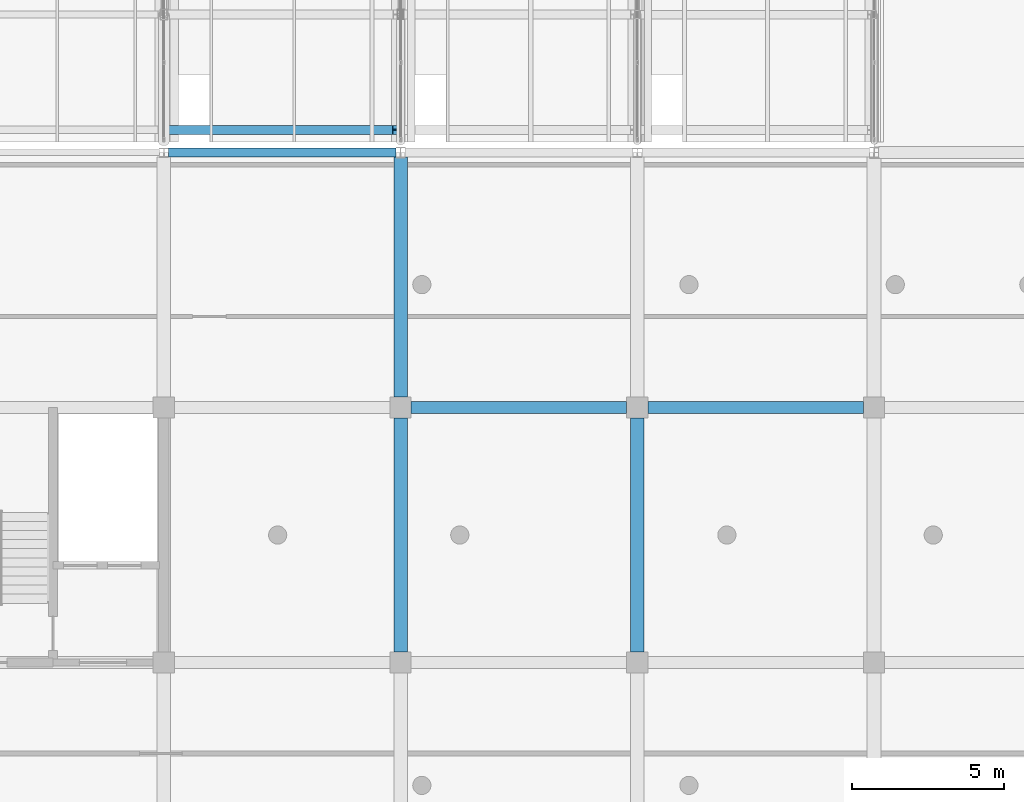
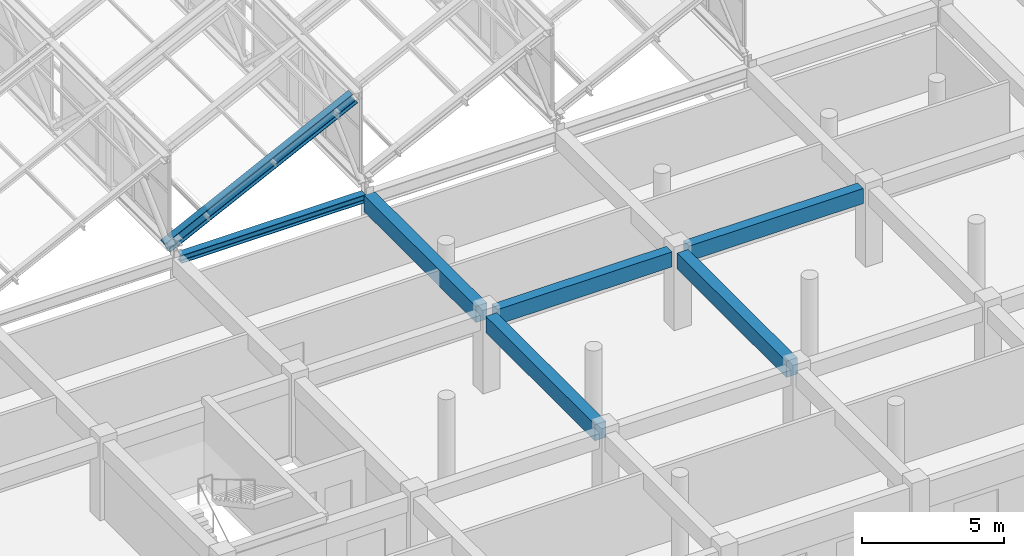
# One storey, part 13 of 101: 6 beams, 1 member.
"""IFC4 building model written with IfcOpenShell, lengths in metres."""

from ifc_helpers import new_model, si_unit, direction, frame, origin, origin_2d, place, context, subcontext, project, spatial, rectangle, i_section, extrude, material, material_profile, profile_set, type_object, element, save


model = new_model("IFC4")

# Units and contexts
model_context = context("Model", 3, precision=1e-05, world=origin(), true_north=direction((0.0, 1.0)))
body_context = subcontext(model_context, "Body", "Model", "MODEL_VIEW")
ifc_project = project(units=[si_unit("LENGTHUNIT", "METRE"), si_unit("AREAUNIT", "SQUARE_METRE"), si_unit("VOLUMEUNIT", "CUBIC_METRE"), si_unit("PLANEANGLEUNIT", "RADIAN"), si_unit("MASSUNIT", "GRAM", prefix="KILO")], contexts=[model_context])

# Site, building, storey
site_placement = place(None, origin())
site = spatial("IfcSite", under=ifc_project, at=site_placement, CompositionType="ELEMENT")
building_placement = place(site_placement, origin())
building = spatial("IfcBuilding", under=site, at=building_placement, Name="Zizhar Promenade General Hospital", CompositionType="ELEMENT")
storey_placement = place(building_placement, frame((0.0, 0.0, 14.39990234375)))
storey = spatial("IfcBuildingStorey", under=building, at=storey_placement, Name="L03", CompositionType="ELEMENT", Elevation=14.39990234375)

# Beams
ifc_material_1 = material(Name="Concrete C35/45", Category="concrete")
ifc_material_profile_1 = material_profile(ifc_material_1, rectangle(XDim=0.39990234375, YDim=0.64990234375, at=origin_2d()))
ifc_profile_set_1 = profile_set([ifc_material_profile_1], Name="Concrete C35/45")
beam_type_1 = type_object("IfcBeamType", Name="BM-RC-400x650", PredefinedType="BEAM", material=ifc_profile_set_1)
for number, where, z_axis, x_axis, name in (
    (1, (109.550048828125, 16.800048828125, 2.985107421875), (1.0, 0.0, 0.0), (0.0, 1.0, 0.0), "Grid Beam X L03 (14-2)"),
    (2, (117.35009765625, 16.800048828125, 2.985107421875), (1.0, 0.0, 0.0), (0.0, 1.0, 0.0), "Grid Beam X L03 (15-2)"),
):
    element("IfcBeam", number, at=place(storey_placement, frame(where, z_axis=z_axis, x_axis=x_axis)), inside=storey, type_object=beam_type_1, Name=name, PredefinedType="BEAM", context=body_context, shape_type="SweptSolid", body=[
        extrude(rectangle(XDim=0.39990234375, YDim=0.64990234375, at=origin_2d()), origin(), (0.0, 0.0, 1.0), 7.099853515625),
    ])
ifc_material_2 = material(Name="Concrete C35/45", Category="concrete")
ifc_material_profile_2 = material_profile(ifc_material_2, rectangle(XDim=0.449951171875, YDim=0.699951171875, at=origin_2d()))
ifc_profile_set_2 = profile_set([ifc_material_profile_2], Name="Concrete C35/45")
beam_type_2 = type_object("IfcBeamType", Name="BM-RC-450x700", PredefinedType="BEAM", material=ifc_profile_set_2)
beam_1_placement = place(storey_placement, frame((109.199951171875, 8.75, 2.960205078125), z_axis=(0.0, 1.0, 0.0), x_axis=(-1.0, 0.0, 0.0)))
element("IfcBeam", 3, at=beam_1_placement, inside=storey, type_object=beam_type_2, Name="Grid Beam Y L03 (14-1)", PredefinedType="BEAM", context=body_context, shape_type="SweptSolid", body=[
    extrude(rectangle(XDim=0.449951171875, YDim=0.699951171875, at=origin_2d()), origin(), (0.0, 0.0, 1.0), 7.699951171875),
])
beam_2_placement = place(storey_placement, frame((109.199951171875, 17.14990234375, 2.960205078125), z_axis=(0.0, 1.0, 0.0), x_axis=(-1.0, 0.0, 0.0)))
element("IfcBeam", 4, at=beam_2_placement, inside=storey, type_object=beam_type_2, Name="Grid Beam Y L03 (14-2)", PredefinedType="BEAM", context=body_context, shape_type="SweptSolid", body=[
    extrude(rectangle(XDim=0.449951171875, YDim=0.699951171875, at=origin_2d()), origin(), (0.0, 0.0, 1.0), 7.900146484375),
])
beam_3_placement = place(storey_placement, frame((117.0, 8.75, 2.960205078125), z_axis=(0.0, 1.0, 0.0), x_axis=(-1.0, 0.0, 0.0)))
element("IfcBeam", 5, at=beam_3_placement, inside=storey, type_object=beam_type_2, Name="Grid Beam Y L03 (15-1)", PredefinedType="BEAM", context=body_context, shape_type="SweptSolid", body=[
    extrude(rectangle(XDim=0.449951171875, YDim=0.699951171875, at=origin_2d()), origin(), (0.0, 0.0, 1.0), 7.699951171875),
])
ifc_material_3 = material(Name="Steel S355", Category="steel")
ifc_material_profile_3 = material_profile(ifc_material_3, i_section(OverallWidth=0.300048828125, OverallDepth=0.340087890625, WebThickness=0.011962890625, FlangeThickness=0.021484375, FilletRadius=0.027099609375, at=origin_2d()))
ifc_profile_set_3 = profile_set([ifc_material_profile_3], Name="Steel S355")
beam_type_3 = type_object("IfcBeamType", Name="BM-STL-HEB340", PredefinedType="BEAM", material=ifc_profile_set_3)
beam_4_placement = place(storey_placement, frame((101.550048828125, 25.199951171875, 3.14013671875), z_axis=(1.0, 0.0, 0.0), x_axis=(0.0, 1.0, 0.0)))
element("IfcBeam", 6, at=beam_4_placement, inside=storey, type_object=beam_type_3, Name="Grid Beam X L03 (13-3)", PredefinedType="BEAM", context=body_context, shape_type="SweptSolid", body=[
    extrude(i_section(OverallWidth=0.300048828125, OverallDepth=0.340087890625, WebThickness=0.011962890625, FlangeThickness=0.021484375, FilletRadius=0.027099609375, at=origin_2d()), origin(), (0.0, 0.0, 1.0), 7.5),
])

# Member
ifc_material_4 = material(Name="Steel S355", Category="steel")
ifc_material_profile_4 = material_profile(ifc_material_4, i_section(OverallWidth=0.300048828125, OverallDepth=0.489990234375, WebThickness=0.011962890625, FlangeThickness=0.02294921875, FilletRadius=0.027099609375, at=origin_2d()))
ifc_profile_set_4 = profile_set([ifc_material_profile_4], Name="Steel S355")
member_type = type_object("IfcMemberType", Name="MEM-RAFT-HEA500", PredefinedType="RAFTER", material=ifc_profile_set_4)
member_placement = place(storey_placement, frame((101.39990234375, 25.949951171875, 3.219970703125), z_axis=(0.896710487916, 0.0, 0.442617555979), x_axis=(0.0, 1.0, 0.0)))
element("IfcMember", 7, at=member_placement, inside=storey, type_object=member_type, Name="Sawtooth Bay 5 Rafter 1-1", PredefinedType="RAFTER", context=body_context, shape_type="SweptSolid", body=[
    extrude(i_section(OverallWidth=0.300048828125, OverallDepth=0.489990234375, WebThickness=0.011962890625, FlangeThickness=0.02294921875, FilletRadius=0.027099609375, at=origin_2d()), origin(), (0.0, 0.0, 1.0), 8.53125),
])

save(model, "model.ifc")
